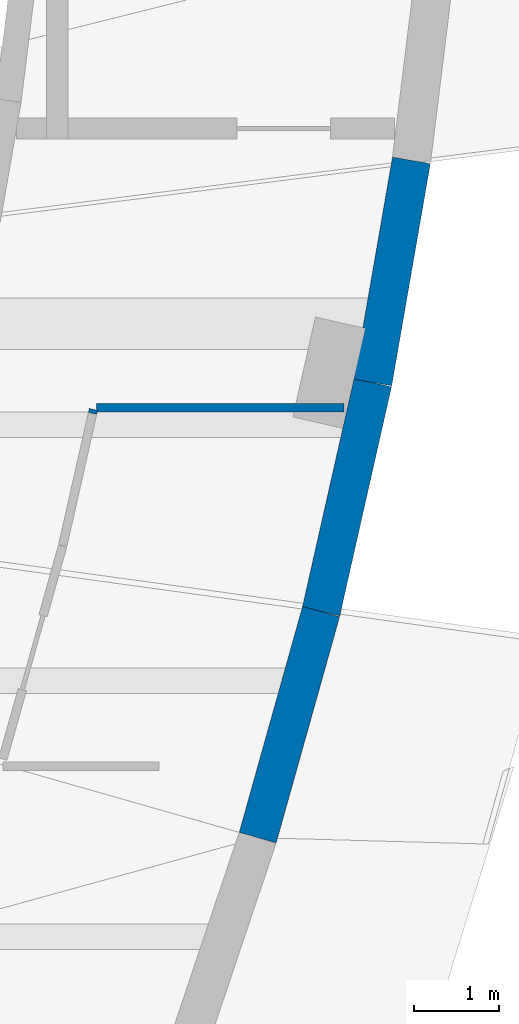
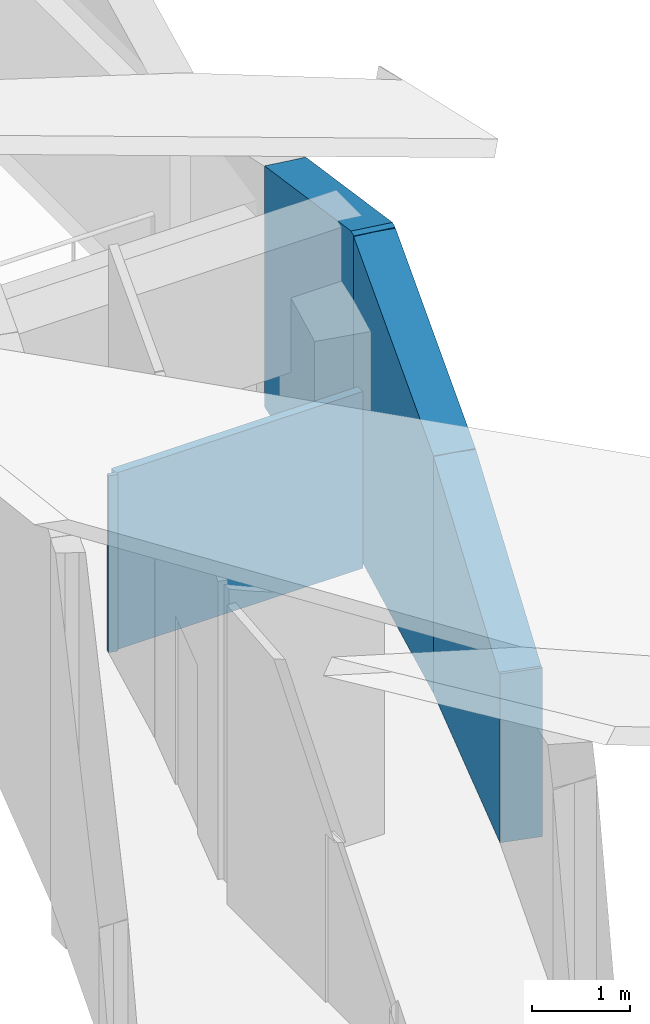
# One storey, part 14 of 17: 5 walls.
"""IFC4 building model written with IfcOpenShell, lengths in metres."""

from ifc_helpers import new_model, si_unit, direction, frame, frame_2d, origin, place, context, subcontext, project, spatial, polyline, rectangle, outline, extrude, material, layer, layer_set, type_object, element, save


model = new_model("IFC4")

# Units and contexts
model_context = context("Model", 3, precision=1e-05, world=origin(), true_north=direction((0.0, 1.0)))
body_context = subcontext(model_context, "Body", "Model", "MODEL_VIEW")
ifc_project = project(units=[si_unit("LENGTHUNIT", "METRE"), si_unit("AREAUNIT", "SQUARE_METRE"), si_unit("VOLUMEUNIT", "CUBIC_METRE"), si_unit("PLANEANGLEUNIT", "RADIAN"), si_unit("MASSUNIT", "GRAM", prefix="KILO")], contexts=[model_context])

# Site, building, storey
site_placement = place(None, origin())
site = spatial("IfcSite", under=ifc_project, at=site_placement, CompositionType="ELEMENT")
building_placement = place(site_placement, origin())
building = spatial("IfcBuilding", under=site, at=building_placement, Name="Tide Square Theatres", CompositionType="ELEMENT")
storey_placement = place(building_placement, frame((0.0, 0.0, 14.800048828125)))
storey = spatial("IfcBuildingStorey", under=building, at=storey_placement, Name="L03", CompositionType="ELEMENT", Elevation=14.800048828125)

# Walls
ifc_material_1 = material(Name="Gypsum board on steel studs", Category="steel")
ifc_layer_1 = layer(ifc_material_1, 0.10009765625)
ifc_layer_set_1 = layer_set([ifc_layer_1], Name="Gypsum board on steel studs")
wall_type_1 = type_object("IfcWallType", Name="Partition 100 thick", PredefinedType="PARTITIONING", material=ifc_layer_set_1)
wall_1_placement = place(storey_placement, frame((100.788818359375, 44.135498046875, 0.0), z_axis=(0.0, 0.0, 1.0), x_axis=(0.2229655933, 0.974826314891, 0.0)))
element("IfcWall", 1, at=wall_1_placement, inside=storey, type_object=wall_type_1, Name="Partition", PredefinedType="PARTITIONING", context=body_context, shape_type="SweptSolid", body=[
    extrude(rectangle(XDim=0.047119140625, YDim=0.10009765625, at=frame_2d((0.0234375, 0.0))), origin(), (0.0, 0.0, 1.0), 2.200927734375),
])
wall_2_placement = place(storey_placement, frame((100.83251953125, 44.199951171875, 0.0), z_axis=(0.0, 0.0, 1.0), x_axis=(1.0, 0.0, 0.0)))
element("IfcWall", 2, at=wall_2_placement, inside=storey, type_object=wall_type_1, Name="Partition", PredefinedType="PARTITIONING", context=body_context, shape_type="SweptSolid", body=[
    extrude(rectangle(XDim=2.904052734375, YDim=0.10009765625, at=frame_2d((1.4521484375, 0.0))), origin(), (0.0, 0.0, 1.0), 2.200927734375),
])
ifc_material_2 = material(Name="Concrete C40", Category="concrete")
ifc_layer_2 = layer(ifc_material_2, 0.449951171875)
ifc_layer_set_2 = layer_set([ifc_layer_2], Name="Concrete C40")
wall_type_2 = type_object("IfcWallType", Name="RC curved wall 450 thick", PredefinedType="SOLIDWALL", material=ifc_layer_set_2)
wall_3_placement = place(storey_placement, frame((102.724609375, 39.161865234375, 0.0), z_axis=(0.0, 0.0, 1.0), x_axis=(0.270008269196, 0.962858003324, 0.0)))
element("IfcWall", 3, at=wall_3_placement, inside=storey, type_object=wall_type_2, Name="Main Theatre perimeter wall", PredefinedType="SOLIDWALL", context=body_context, shape_type="SweptSolid", body=[
    extrude(outline(polyline([(0.0, 0.0), (2.75244140625, 0.0), (2.752197265625, 2.953857421875), (2.721435546875, 2.94384765625), (0.056396484375, 2.085205078125), (0.0, 2.1025390625), (0.0, 0.0)])), frame((0.0, 0.22509765625, 0.0), z_axis=(0.0, -1.0, 0.0), x_axis=(1.0, 0.0, 0.0)), (0.0, 0.0, 1.0), 0.449951171875),
])
wall_4_placement = place(storey_placement, frame((103.4677734375, 41.81201171875, 0.0), z_axis=(0.0, 0.0, 1.0), x_axis=(0.220347996563, 0.975421324562, 0.0)))
element("IfcWall", 4, at=wall_4_placement, inside=storey, type_object=wall_type_2, Name="Main Theatre perimeter wall", PredefinedType="SOLIDWALL", context=body_context, shape_type="SweptSolid", body=[
    extrude(outline(polyline([(0.0, 0.0), (2.752197265625, 0.0), (2.75244140625, 3.85986328125), (2.72412109375, 3.8505859375), (2.67333984375, 3.833984375), (2.622314453125, 3.8173828125), (0.0, 2.957763671875), (0.0, 0.0)])), frame((0.0, 0.22509765625, 0.0), z_axis=(0.0, -1.0, 0.0), x_axis=(1.0, 0.0, 0.0)), (0.0, 0.0, 1.0), 0.449951171875),
])
wall_5_placement = place(storey_placement, frame((104.07421875, 44.49658203125, 0.0), z_axis=(0.0, 0.0, 1.0), x_axis=(0.171196910379, 0.985236833394, 0.0)))
element("IfcWall", 5, at=wall_5_placement, inside=storey, type_object=wall_type_2, Name="Main Theatre perimeter wall", PredefinedType="SOLIDWALL", context=body_context, shape_type="SweptSolid", body=[
    extrude(outline(polyline([(0.0, 0.0), (2.642578125, 0.0), (2.642578125, 3.0), (2.5732421875, 3.0234375), (0.078369140625, 3.873291015625), (0.0, 3.86376953125), (0.0, 0.0)])), frame((0.0, 0.22509765625, 0.0), z_axis=(0.0, -1.0, 0.0), x_axis=(1.0, 0.0, 0.0)), (0.0, 0.0, 1.0), 0.449951171875),
])

save(model, "model.ifc")
